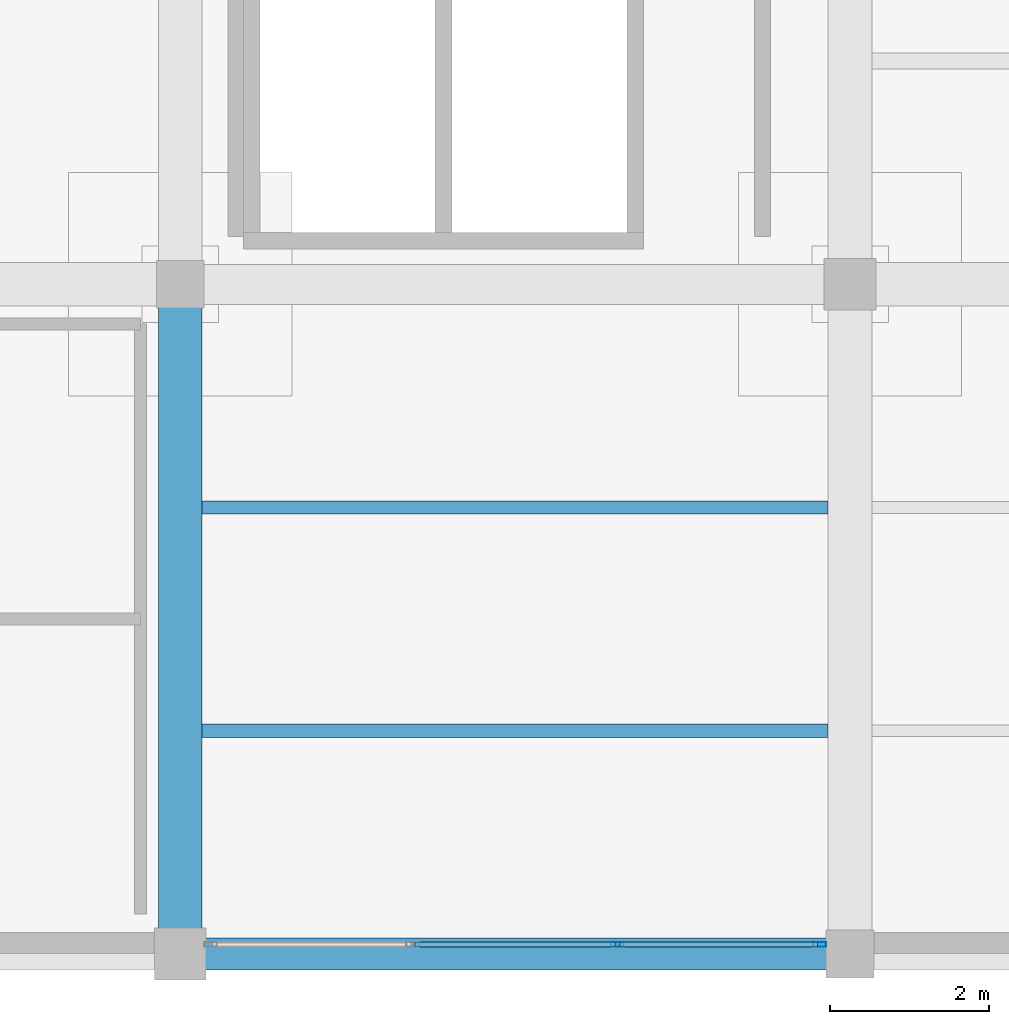
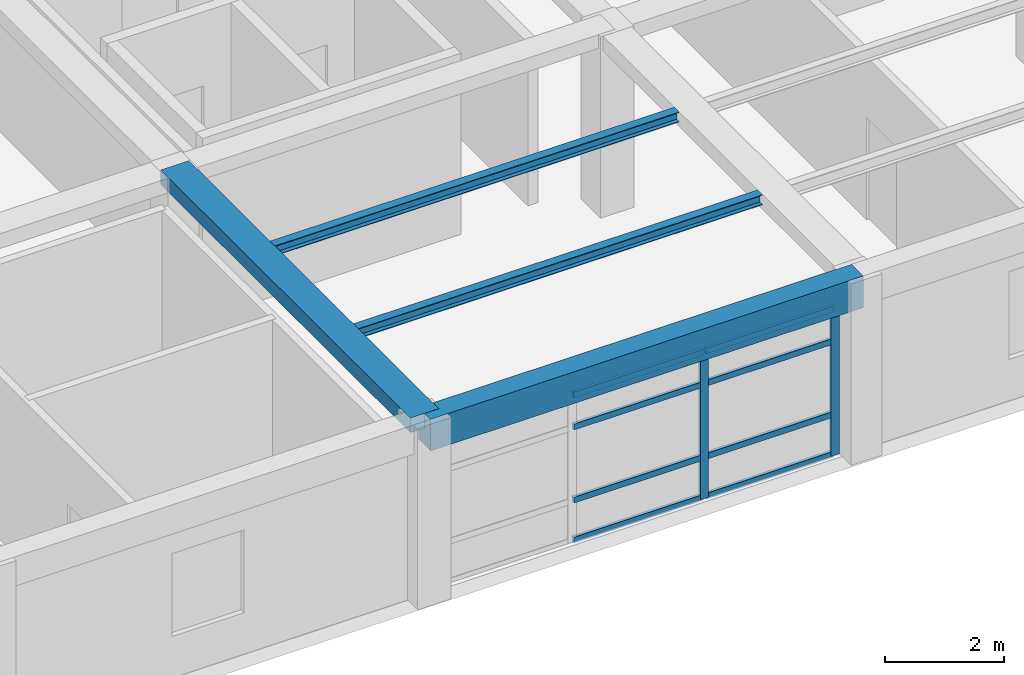
# One storey, part 6 of 25: 10 members, 4 beams, 1 element without a shape of its own.
"""IFC4 building model written with IfcOpenShell, lengths in metres."""

from ifc_helpers import new_model, si_unit, direction, frame, origin, origin_2d, place, context, subcontext, project, spatial, rectangle, hollow_rectangle, i_section, extrude, material, material_profile, profile_set, type_object, element, aggregate, save


model = new_model("IFC4")

# Units and contexts
model_context = context("Model", 3, precision=1e-05, world=origin(), true_north=direction((0.0, 1.0)))
body_context = subcontext(model_context, "Body", "Model", "MODEL_VIEW")
ifc_project = project(units=[si_unit("LENGTHUNIT", "METRE"), si_unit("AREAUNIT", "SQUARE_METRE"), si_unit("VOLUMEUNIT", "CUBIC_METRE"), si_unit("PLANEANGLEUNIT", "RADIAN"), si_unit("MASSUNIT", "GRAM", prefix="KILO")], contexts=[model_context])

# Site, building, storey
site_placement = place(None, origin())
site = spatial("IfcSite", under=ifc_project, at=site_placement, CompositionType="ELEMENT")
building_placement = place(site_placement, origin())
building = spatial("IfcBuilding", under=site, at=building_placement, Name="Almacenes y Pasaje Nevantli", CompositionType="ELEMENT")
storey_placement = place(building_placement, frame((0.0, 0.0, 50.699951171875)))
storey = spatial("IfcBuildingStorey", under=building, at=storey_placement, Name="L12", CompositionType="ELEMENT", Elevation=50.699951171875)

# Beams
ifc_material_1 = material(Name="Concrete C35/45", Category="concrete")
ifc_material_profile_1 = material_profile(ifc_material_1, rectangle(XDim=0.39990234375, YDim=0.64990234375, at=origin_2d()), Name="RC-BM-400x650")
ifc_profile_set_1 = profile_set([ifc_material_profile_1], Name="Concrete C35/45")
beam_type_1 = type_object("IfcBeamType", Name="BM-RC-400x650", PredefinedType="SPANDREL", material=ifc_profile_set_1)
beam_1_placement = place(storey_placement, frame((134.39990234375, 67.199951171875, 3.39501953125), z_axis=(1.0, 0.0, 0.0), x_axis=(0.0, 1.0, 0.0)))
element("IfcBeam", 1, at=beam_1_placement, inside=storey, type_object=beam_type_1, Name="L12 East-West Reinforced Concrete Beam #3893", PredefinedType="SPANDREL", context=body_context, shape_type="SweptSolid", body=[
    extrude(rectangle(XDim=0.39990234375, YDim=0.64990234375, at=origin_2d()), origin(), (0.0, 0.0, 1.0), 8.400146484375),
])
ifc_material_2 = material(Name="Concrete C35/45", Category="concrete")
ifc_material_profile_2 = material_profile(ifc_material_2, rectangle(XDim=0.550048828125, YDim=0.300048828125, at=origin_2d()), Name="RC-BM-550x300")
ifc_profile_set_2 = profile_set([ifc_material_profile_2], Name="Concrete C35/45")
beam_type_2 = type_object("IfcBeamType", Name="BM-RC-550x300", PredefinedType="BEAM", material=ifc_profile_set_2)
beam_2_placement = place(storey_placement, frame((134.39990234375, 67.199951171875, 3.570068359375), z_axis=(0.0, 1.0, 0.0), x_axis=(-1.0, 0.0, 0.0)))
element("IfcBeam", 2, at=beam_2_placement, inside=storey, type_object=beam_type_2, Name="L12 North-South Reinforced Concrete Beam #3923", PredefinedType="BEAM", context=body_context, shape_type="SweptSolid", body=[
    extrude(rectangle(XDim=0.550048828125, YDim=0.300048828125, at=origin_2d()), origin(), (0.0, 0.0, 1.0), 8.400146484375),
])
ifc_material_3 = material(Name="Steel ASTM A992", Category="steel")
ifc_material_profile_3 = material_profile(ifc_material_3, i_section(OverallWidth=0.166015625, OverallDepth=0.205078125, WebThickness=0.007080078125, FlangeThickness=0.01171875, at=origin_2d()), Name="IR 203x41.7")
ifc_profile_set_3 = profile_set([ifc_material_profile_3], Name="Steel ASTM A992")
beam_type_3 = type_object("IfcBeamType", Name="BM-STL-IR-203x41p7", PredefinedType="JOIST", material=ifc_profile_set_3)
for number, where, z_axis, x_axis, name in (
    (3, (134.675048828125, 70.0, 3.609619140625), (1.0, 0.0, 0.0), (0.0, 1.0, 0.0), "L12 Secondary Steel Floor Joist #1547"),
    (4, (134.675048828125, 72.800048828125, 3.609619140625), (1.0, 0.0, 0.0), (0.0, 1.0, 0.0), "L12 Secondary Steel Floor Joist #1548"),
):
    element("IfcBeam", number, at=place(storey_placement, frame(where, z_axis=z_axis, x_axis=x_axis)), inside=storey, type_object=beam_type_3, Name=name, PredefinedType="JOIST", context=body_context, shape_type="SweptSolid", body=[
        extrude(i_section(OverallWidth=0.166015625, OverallDepth=0.205078125, WebThickness=0.007080078125, FlangeThickness=0.01171875, at=origin_2d()), origin(), (0.0, 0.0, 1.0), 7.849853515625),
    ])

# Curtain wall, members
ifc_material_4 = material(Name="Thermally Broken Aluminium and Low-E Glass", Category="aluminium")
curtain_wall_type = type_object("IfcCurtainWallType", Name="CW-UNIT-TOWER", PredefinedType="USERDEFINED", material=ifc_material_4)
curtain_wall_placement = place(storey_placement, origin())
curtain_wall = element("IfcCurtainWall", 5, at=curtain_wall_placement, inside=storey, type_object=curtain_wall_type, Name="L12 Tower South Unitized Curtain Wall Bay 17", ObjectType="UNITIZED CURTAIN WALL", PredefinedType="USERDEFINED")
ifc_material_5 = material(Name="Thermally Broken Anodized Aluminium", Category="aluminium")
ifc_material_profile_4 = material_profile(ifc_material_5, hollow_rectangle(XDim=0.06005859375, YDim=0.159912109375, WallThickness=0.00390625, at=origin_2d()), Name="ALU-MUL-60x160")
ifc_profile_set_4 = profile_set([ifc_material_profile_4], Name="Thermally Broken Anodized Aluminium")
member_type_1 = type_object("IfcMemberType", Name="CW-MUL-180", PredefinedType="MULLION", material=ifc_profile_set_4)
member_1_placement = place(storey_placement, frame((139.88330078125, 67.320068359375, 0.0), z_axis=(0.0, 0.0, 1.0), x_axis=(0.0, 1.0, 0.0)))
member_1 = element("IfcMember", 6, at=member_1_placement, type_object=member_type_1, Name="CW-L12-161 mullion 3", PredefinedType="MULLION", context=body_context, shape_type="SweptSolid", body=[
    extrude(hollow_rectangle(XDim=0.06005859375, YDim=0.159912109375, WallThickness=0.00390625, at=origin_2d()), origin(), (0.0, 0.0, 1.0), 3.0400390625),
])
member_2_placement = place(storey_placement, frame((142.419921875, 67.320068359375, 0.0), z_axis=(0.0, 0.0, 1.0), x_axis=(0.0, 1.0, 0.0)))
member_2 = element("IfcMember", 7, at=member_2_placement, type_object=member_type_1, Name="CW-L12-161 mullion 4", PredefinedType="MULLION", context=body_context, shape_type="SweptSolid", body=[
    extrude(hollow_rectangle(XDim=0.06005859375, YDim=0.159912109375, WallThickness=0.00390625, at=origin_2d()), origin(), (0.0, 0.0, 1.0), 3.0400390625),
])
ifc_material_6 = material(Name="Thermally Broken Anodized Aluminium", Category="aluminium")
ifc_material_profile_5 = material_profile(ifc_material_6, hollow_rectangle(XDim=0.06005859375, YDim=0.1201171875, WallThickness=0.00341796875, at=origin_2d()), Name="ALU-TRN-60x120")
ifc_profile_set_5 = profile_set([ifc_material_profile_5], Name="Thermally Broken Anodized Aluminium")
member_type_2 = type_object("IfcMemberType", Name="CW-TRN-130", PredefinedType="USERDEFINED", material=ifc_profile_set_5)
member_3_placement = place(storey_placement, frame((137.3466796875, 67.320068359375, 0.030029296875), z_axis=(1.0, 0.0, 0.0), x_axis=(0.0, 1.0, 0.0)))
member_3 = element("IfcMember", 8, at=member_3_placement, type_object=member_type_2, Name="CW-L12-161 transom 2.1", ObjectType="TRANSOM", PredefinedType="USERDEFINED", context=body_context, shape_type="SweptSolid", body=[
    extrude(hollow_rectangle(XDim=0.06005859375, YDim=0.1201171875, WallThickness=0.00341796875, at=origin_2d()), origin(), (0.0, 0.0, 1.0), 2.506591796875),
])
member_4_placement = place(storey_placement, frame((137.3466796875, 67.320068359375, 0.85009765625), z_axis=(1.0, 0.0, 0.0), x_axis=(0.0, 1.0, 0.0)))
member_4 = element("IfcMember", 9, at=member_4_placement, type_object=member_type_2, Name="CW-L12-161 transom 2.2", ObjectType="TRANSOM", PredefinedType="USERDEFINED", context=body_context, shape_type="SweptSolid", body=[
    extrude(hollow_rectangle(XDim=0.06005859375, YDim=0.1201171875, WallThickness=0.00341796875, at=origin_2d()), origin(), (0.0, 0.0, 1.0), 2.506591796875),
])
member_5_placement = place(storey_placement, frame((137.3466796875, 67.320068359375, 2.35009765625), z_axis=(1.0, 0.0, 0.0), x_axis=(0.0, 1.0, 0.0)))
member_5 = element("IfcMember", 10, at=member_5_placement, type_object=member_type_2, Name="CW-L12-161 transom 2.3", ObjectType="TRANSOM", PredefinedType="USERDEFINED", context=body_context, shape_type="SweptSolid", body=[
    extrude(hollow_rectangle(XDim=0.06005859375, YDim=0.1201171875, WallThickness=0.00341796875, at=origin_2d()), origin(), (0.0, 0.0, 1.0), 2.506591796875),
])
member_6_placement = place(storey_placement, frame((137.3466796875, 67.320068359375, 3.010009765625), z_axis=(1.0, 0.0, 0.0), x_axis=(0.0, 1.0, 0.0)))
member_6 = element("IfcMember", 11, at=member_6_placement, type_object=member_type_2, Name="CW-L12-161 transom 2.4", ObjectType="TRANSOM", PredefinedType="USERDEFINED", context=body_context, shape_type="SweptSolid", body=[
    extrude(hollow_rectangle(XDim=0.06005859375, YDim=0.1201171875, WallThickness=0.00341796875, at=origin_2d()), origin(), (0.0, 0.0, 1.0), 2.506591796875),
])
member_7_placement = place(storey_placement, frame((139.913330078125, 67.320068359375, 0.030029296875), z_axis=(1.0, 0.0, 0.0), x_axis=(0.0, 1.0, 0.0)))
member_7 = element("IfcMember", 12, at=member_7_placement, type_object=member_type_2, Name="CW-L12-161 transom 3.1", ObjectType="TRANSOM", PredefinedType="USERDEFINED", context=body_context, shape_type="SweptSolid", body=[
    extrude(hollow_rectangle(XDim=0.06005859375, YDim=0.1201171875, WallThickness=0.00341796875, at=origin_2d()), origin(), (0.0, 0.0, 1.0), 2.4765625),
])
member_8_placement = place(storey_placement, frame((139.913330078125, 67.320068359375, 0.85009765625), z_axis=(1.0, 0.0, 0.0), x_axis=(0.0, 1.0, 0.0)))
member_8 = element("IfcMember", 13, at=member_8_placement, type_object=member_type_2, Name="CW-L12-161 transom 3.2", ObjectType="TRANSOM", PredefinedType="USERDEFINED", context=body_context, shape_type="SweptSolid", body=[
    extrude(hollow_rectangle(XDim=0.06005859375, YDim=0.1201171875, WallThickness=0.00341796875, at=origin_2d()), origin(), (0.0, 0.0, 1.0), 2.4765625),
])
member_9_placement = place(storey_placement, frame((139.913330078125, 67.320068359375, 2.35009765625), z_axis=(1.0, 0.0, 0.0), x_axis=(0.0, 1.0, 0.0)))
member_9 = element("IfcMember", 14, at=member_9_placement, type_object=member_type_2, Name="CW-L12-161 transom 3.3", ObjectType="TRANSOM", PredefinedType="USERDEFINED", context=body_context, shape_type="SweptSolid", body=[
    extrude(hollow_rectangle(XDim=0.06005859375, YDim=0.1201171875, WallThickness=0.00341796875, at=origin_2d()), origin(), (0.0, 0.0, 1.0), 2.4765625),
])
member_10_placement = place(storey_placement, frame((139.913330078125, 67.320068359375, 3.010009765625), z_axis=(1.0, 0.0, 0.0), x_axis=(0.0, 1.0, 0.0)))
member_10 = element("IfcMember", 15, at=member_10_placement, type_object=member_type_2, Name="CW-L12-161 transom 3.4", ObjectType="TRANSOM", PredefinedType="USERDEFINED", context=body_context, shape_type="SweptSolid", body=[
    extrude(hollow_rectangle(XDim=0.06005859375, YDim=0.1201171875, WallThickness=0.00341796875, at=origin_2d()), origin(), (0.0, 0.0, 1.0), 2.4765625),
])
aggregate(curtain_wall, [member_1, member_2, member_3, member_4, member_5, member_6, member_7, member_8, member_9, member_10])

save(model, "model.ifc")
